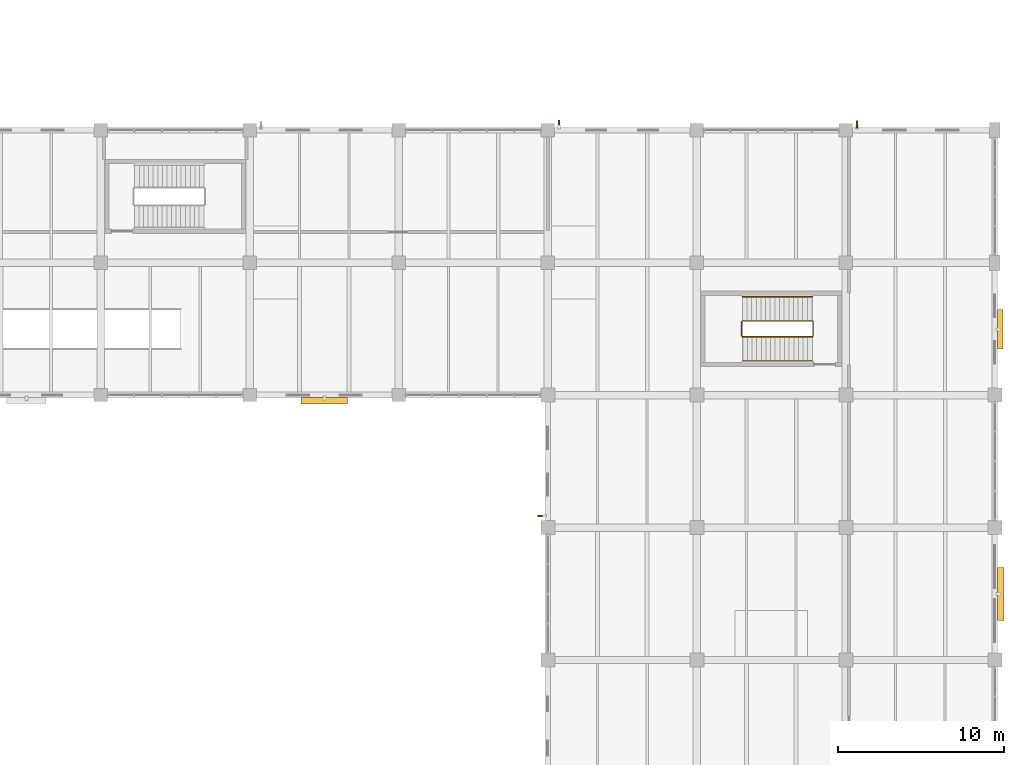
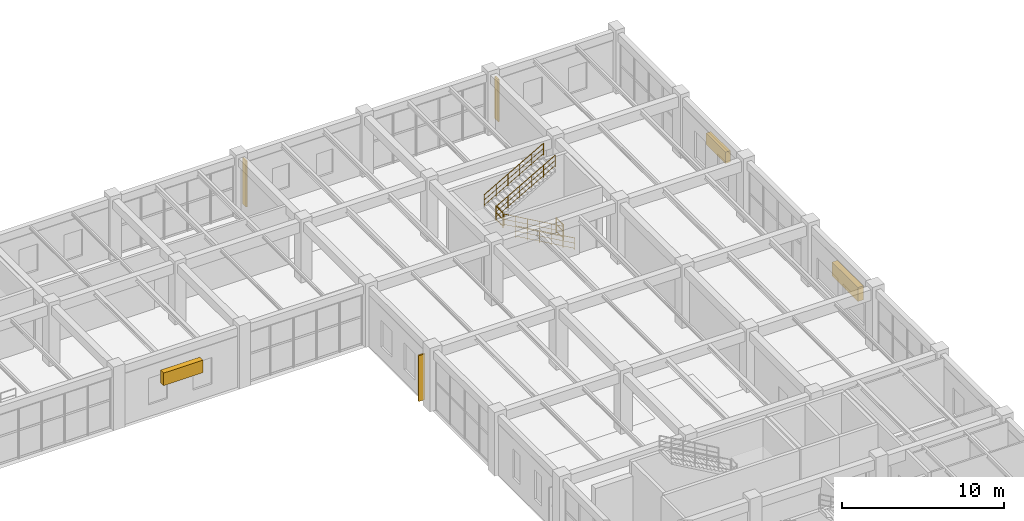
# One storey, part 177 of 178: 6 railings, 6 shading devices.
"""IFC4 building model written with IfcOpenShell, lengths in metres."""

import ifcopenshell
import ifcopenshell.guid

model = None  # the IFC model being written
_history = None  # IfcOwnerHistory: only IFC2X3 demands one
_inside = {}  # id of a spatial element -> (the spatial element, [elements in it])
_under = {}  # id of a project, library or spatial element -> (it, [spatial elements below it])
_declared = {}  # id of a project -> (the project, [libraries it declares])
_typed = {}  # id of a type object -> (the type object, [elements of that type])
_made_of = {}  # id of a material, layer set ... -> (it, [elements and type objects made of it])


def new_model(schema):
    """Start an empty IFC model of exactly this schema.

    Asked for "IFC4X3", IfcOpenShell would pick the latest addendum, in which some entities
    have other attributes; the version numbers below select the first issue.
    IFC2X3 requires an IfcOwnerHistory on every rooted entity: one is made here for all.
    """
    global model, _history
    if schema == "IFC4X3":
        model = ifcopenshell.file(schema_version=(4, 3, 0, 0))
    else:
        model = ifcopenshell.file(schema=schema)
    _inside.clear()
    _under.clear()
    _declared.clear()
    _typed.clear()
    _made_of.clear()
    _history = None
    if model.schema == "IFC2X3":
        org = make("IfcOrganization", Name="unknown")
        user = make(
            "IfcPersonAndOrganization",
            ThePerson=make("IfcPerson", FamilyName="unknown"),
            TheOrganization=org,
        )
        app = make(
            "IfcApplication",
            ApplicationDeveloper=org,
            Version="unknown",
            ApplicationFullName="unknown",
            ApplicationIdentifier="unknown",
        )
        _history = make(
            "IfcOwnerHistory",
            OwningUser=user,
            OwningApplication=app,
            ChangeAction="ADDED",
            CreationDate=0,
        )
    return model


def make(cls, **values):
    """One entity of the class cls with the attributes given. An attribute that is None is left unset."""
    return model.create_entity(
        cls, **{name: value for name, value in values.items() if value is not None}
    )


def rooted(cls, **values):
    """An entity with a GlobalId (a new one), such as an element, a storey or a relation."""
    return make(cls, GlobalId=ifcopenshell.guid.new(), OwnerHistory=_history, **values)


def si_unit(unit_type, name, prefix=None):
    """IfcSIUnit, for example si_unit("LENGTHUNIT", "METRE", prefix="MILLI")."""
    return make("IfcSIUnit", UnitType=unit_type, Prefix=prefix, Name=name)


def derived_unit(unit_type, elements):
    """IfcDerivedUnit: a product of units, each with its exponent."""
    return make(
        "IfcDerivedUnit",
        Elements=[
            make("IfcDerivedUnitElement", Unit=unit, Exponent=power)
            for unit, power in elements
        ],
        UnitType=unit_type,
    )


def assignment(units):
    """IfcUnitAssignment: the units of a project."""
    return None if units is None else make("IfcUnitAssignment", Units=units)


def point(xyz):
    """IfcCartesianPoint."""
    return None if xyz is None else make("IfcCartesianPoint", Coordinates=xyz)


def direction(xyz):
    """IfcDirection."""
    return None if xyz is None else make("IfcDirection", DirectionRatios=xyz)


def frame(location, z_axis=None, x_axis=None):
    """IfcAxis2Placement3D, a coordinate frame: its origin and axes. An axis left out is left unset."""
    return make(
        "IfcAxis2Placement3D",
        Location=point(location),
        Axis=direction(z_axis),
        RefDirection=direction(x_axis),
    )


def frame_2d(location, x_axis=None):
    """IfcAxis2Placement2D, a coordinate frame in the plane: its origin and x axis."""
    return make(
        "IfcAxis2Placement2D", Location=point(location), RefDirection=direction(x_axis)
    )


def origin():
    """The frame at (0, 0, 0) with its axes left unset."""
    return frame((0.0, 0.0, 0.0))


def origin_2d():
    """The frame at (0, 0) in the plane with its x axis left unset."""
    return frame_2d((0.0, 0.0))


def place(relative_to, where):
    """IfcLocalPlacement: puts the frame where relative to a parent placement (None: the world)."""
    return make(
        "IfcLocalPlacement", PlacementRelTo=relative_to, RelativePlacement=where
    )


def context(
    kind, dimensions, precision=None, world=None, true_north=None, identifier=None
):
    """IfcGeometricRepresentationContext, for example the 3D "Model" context."""
    return make(
        "IfcGeometricRepresentationContext",
        ContextIdentifier=identifier,
        ContextType=kind,
        CoordinateSpaceDimension=dimensions,
        Precision=precision,
        WorldCoordinateSystem=world,
        TrueNorth=true_north,
    )


def subcontext(parent, identifier, kind, view, scale=None):
    """IfcGeometricRepresentationSubContext, for example "Body" below "Model"."""
    return make(
        "IfcGeometricRepresentationSubContext",
        ContextIdentifier=identifier,
        ContextType=kind,
        ParentContext=parent,
        TargetScale=scale,
        TargetView=view,
    )


def project(units=None, contexts=None):
    """IfcProject with its units and contexts."""
    return rooted(
        "IfcProject",
        Name="project",
        RepresentationContexts=contexts,
        UnitsInContext=assignment(units),
    )


def spatial(cls, under=None, at=None, **own):
    """A site, building, storey or space (cls), placed at a placement, below another one or the project."""
    s = rooted(cls, ObjectPlacement=at, **own)
    if under is not None:
        _under.setdefault(under.id(), (under, []))[1].append(s)
    return s


def profile(cls, at=None, kind="AREA", **sizes):
    """A parametric profile (cls). Its sizes go by their IFC names, for example OverallWidth=200.0."""
    return make(cls, ProfileType=kind, Position=at, **sizes)


def rectangle(**sizes):
    """IfcRectangleProfileDef."""
    return profile("IfcRectangleProfileDef", **sizes)


def circle(**sizes):
    """IfcCircleProfileDef."""
    return profile("IfcCircleProfileDef", **sizes)


def extrude(swept, where, along, depth):
    """IfcExtrudedAreaSolid: the profile swept, set in the frame where, extruded along a direction by depth."""
    return make(
        "IfcExtrudedAreaSolid",
        SweptArea=swept,
        Position=where,
        ExtrudedDirection=direction(along),
        Depth=depth,
    )


def shape(context_of_items, identifier, shape_type, items):
    """IfcShapeRepresentation: the items that make up one representation, for example the "Body"."""
    return make(
        "IfcShapeRepresentation",
        ContextOfItems=context_of_items,
        RepresentationIdentifier=identifier,
        RepresentationType=shape_type,
        Items=items,
    )


def material(Name=None, Category=None):
    """IfcMaterial."""
    return make("IfcMaterial", Name=Name, Category=Category)


def made_of(thing, what):
    """Note that an element or type object is made of a material, layer set ...; save() writes the relation."""
    if what is not None:
        _made_of.setdefault(what.id(), (what, []))[1].append(thing)
    return thing


def type_object(cls, material=None, **own):
    """A type object (cls), such as IfcWallType, which elements share."""
    return made_of(rooted(cls, **own), material)


def element(
    cls,
    number,
    at=None,
    inside=None,
    cuts=None,
    type_object=None,
    material=None,
    context=None,
    identifier="Body",
    shape_type=None,
    held_by="IfcProductDefinitionShape",
    body=None,
    shapes=None,
    **own,
):
    """One element of the class cls, such as IfcWall. Its Tag is "e" and its number.

    at: its placement. inside: the storey or other place that contains it. cuts: it is an
    opening in that element (IfcRelVoidsElement). A single representation is given by context,
    identifier, shape_type and body (its items); several are given by shapes. held_by: the class
    of the entity that holds the representations. save() writes the other relations.
    """
    e = rooted(cls, Tag="e%d" % number, ObjectPlacement=at, **own)
    if body is not None:
        shapes = [shape(context, identifier, shape_type, body)]
    if shapes is not None:
        e.Representation = make(held_by, Representations=shapes)
    if inside is not None:
        _inside.setdefault(inside.id(), (inside, []))[1].append(e)
    if cuts is not None:
        rooted(
            "IfcRelVoidsElement", RelatingBuildingElement=cuts, RelatedOpeningElement=e
        )
    if type_object is not None:
        _typed.setdefault(type_object.id(), (type_object, []))[1].append(e)
    return made_of(e, material)


def aggregate(whole, parts):
    """IfcRelAggregates: a whole, such as a stair, and the parts it consists of."""
    return rooted("IfcRelAggregates", RelatingObject=whole, RelatedObjects=parts)


def save(model, path):
    """Write the relations noted so far, then the file.

    IfcRelAggregates (storeys below a building ...), IfcRelContainedInSpatialStructure (elements
    in a storey), IfcRelDefinesByType, IfcRelAssociatesMaterial and IfcRelDeclares: one each for
    every whole, place, type object, material and project.
    """
    for whole, parts in _under.values():
        aggregate(whole, parts)
    for where, things in _inside.values():
        rooted(
            "IfcRelContainedInSpatialStructure",
            RelatedElements=things,
            RelatingStructure=where,
        )
    for kind, things in _typed.values():
        rooted("IfcRelDefinesByType", RelatedObjects=things, RelatingType=kind)
    for what, things in _made_of.values():
        rooted("IfcRelAssociatesMaterial", RelatedObjects=things, RelatingMaterial=what)
    for by, libraries in _declared.values():
        rooted("IfcRelDeclares", RelatingContext=by, RelatedDefinitions=libraries)
    model.write(path)


model = new_model("IFC4")

# Units and contexts
model_context = context("Model", 3, precision=1e-05, world=origin(), true_north=direction((0.0, 1.0)))
body_context = subcontext(model_context, "Body", "Model", "MODEL_VIEW")
ifc_project = project(units=[si_unit("LENGTHUNIT", "METRE"), si_unit("AREAUNIT", "SQUARE_METRE"), si_unit("VOLUMEUNIT", "CUBIC_METRE"), si_unit("PLANEANGLEUNIT", "RADIAN"), si_unit("MASSUNIT", "GRAM", prefix="KILO"), derived_unit("THERMALTRANSMITTANCEUNIT", [(si_unit("MASSUNIT", "GRAM", prefix="KILO"), 1), (si_unit("TIMEUNIT", "SECOND"), -3), (si_unit("THERMODYNAMICTEMPERATUREUNIT", "KELVIN"), -1)])], contexts=[model_context])

# Site, building, storey
site_placement = place(None, origin())
site = spatial("IfcSite", under=ifc_project, at=site_placement, CompositionType="ELEMENT")
building_placement = place(site_placement, origin())
building = spatial("IfcBuilding", under=site, at=building_placement, Name="Zhenchuan Archway Interchange", CompositionType="ELEMENT")
storey_placement = place(building_placement, frame((0.0, 0.0, 5.39990234375)))
storey = spatial("IfcBuildingStorey", under=building, at=storey_placement, Name="L01", CompositionType="ELEMENT", Elevation=5.39990234375)

# Railings
ifc_material_1 = material(Name="Painted Galvanised Steel", Category="steel")
railing_type_1 = type_object("IfcRailingType", Name="RL_GUARD_1150", PredefinedType="GUARDRAIL", material=ifc_material_1)
for number, where, name in (
    (1, (155.715087890625, 91.56494140625, 2.400146484375), "Stair ST-O3 half-landing slot guard (L01)"),
    (2, (160.014892578125, 91.56494140625, 0.0), "Stair ST-O3 floor well guard (L01)"),
):
    element("IfcRailing", number, at=place(storey_placement, frame(where)), inside=storey, type_object=railing_type_1, Name=name, PredefinedType="GUARDRAIL", context=body_context, shape_type="SweptSolid", body=[
        extrude(circle(Radius=0.02392578125, at=origin_2d()), frame((0.0, 0.0, 1.1259765625), z_axis=(0.0, 1.0, 0.0), x_axis=(-1.0, 0.0, 0.0)), (0.0, 0.0, 1.0), 0.8701171875),
        extrude(circle(Radius=0.01611328125, at=origin_2d()), frame((0.0, 0.0, 0.63232421875), z_axis=(0.0, 1.0, 0.0), x_axis=(-1.0, 0.0, 0.0)), (0.0, 0.0, 1.0), 0.8701171875),
        extrude(circle(Radius=0.01611328125, at=origin_2d()), frame((0.0, 0.0, 0.1201171875), z_axis=(0.0, 1.0, 0.0), x_axis=(-1.0, 0.0, 0.0)), (0.0, 0.0, 1.0), 0.8701171875),
        extrude(circle(Radius=0.02099609375, at=origin_2d()), origin(), (0.0, 0.0, 1.0), 1.1259765625),
        extrude(circle(Radius=0.02099609375, at=origin_2d()), frame((0.0, 0.8701171875, 0.0)), (0.0, 0.0, 1.0), 1.1259765625),
    ])
ifc_material_2 = material(Name="Stainless Steel 304", Category="steel")
railing_type_2 = type_object("IfcRailingType", Name="RL_HAND_920", PredefinedType="HANDRAIL", material=ifc_material_2)
for number, where, name in (
    (3, (159.97509765625, 90.054931640625, 0.150146484375), "Stair ST-O3 handrail 1 (L01)"),
    (4, (159.97509765625, 91.52490234375, 0.150146484375), "Stair ST-O3 handrail 2 (L01)"),
):
    element("IfcRailing", number, at=place(storey_placement, frame(where)), inside=storey, type_object=railing_type_2, Name=name, PredefinedType="HANDRAIL", context=body_context, shape_type="SweptSolid", body=[
        extrude(circle(Radius=0.02392578125, at=origin_2d()), frame((0.0, 0.0, 0.89599609375), z_axis=(-0.86927486562, 0.0, 0.494329048308), x_axis=(0.0, -1.0, 0.0)), (0.0, 0.0, 1.0), 4.85498046875),
        extrude(circle(Radius=0.01611328125, at=origin_2d()), frame((0.0, 0.0, 0.505859375), z_axis=(-0.86927486562, 0.0, 0.494329048308), x_axis=(0.0, -1.0, 0.0)), (0.0, 0.0, 1.0), 4.85498046875),
        extrude(circle(Radius=0.01611328125, at=origin_2d()), frame((0.0, 0.0, 0.1201171875), z_axis=(-0.86927486562, 0.0, 0.494329048308), x_axis=(0.0, -1.0, 0.0)), (0.0, 0.0, 1.0), 4.85498046875),
        extrude(circle(Radius=0.02099609375, at=origin_2d()), origin(), (0.0, 0.0, 1.0), 0.89599609375),
        extrude(circle(Radius=0.02099609375, at=origin_2d()), frame((-0.843994140625, 0.0, 0.47998046875)), (0.0, 0.0, 1.0), 0.89599609375),
        extrude(circle(Radius=0.02099609375, at=origin_2d()), frame((-1.68798828125, 0.0, 0.9599609375)), (0.0, 0.0, 1.0), 0.89599609375),
        extrude(circle(Radius=0.02099609375, at=origin_2d()), frame((-2.5322265625, 0.0, 1.43994140625)), (0.0, 0.0, 1.0), 0.89599609375),
        extrude(circle(Radius=0.02099609375, at=origin_2d()), frame((-3.376220703125, 0.0, 1.919921875)), (0.0, 0.0, 1.0), 0.89599609375),
        extrude(circle(Radius=0.02099609375, at=origin_2d()), frame((-4.22021484375, 0.0, 2.39990234375)), (0.0, 0.0, 1.0), 0.89599609375),
    ])
for number, where, name in (
    (5, (155.7548828125, 92.47509765625, 2.550048828125), "Stair ST-O3 handrail 3 (L01)"),
    (6, (155.7548828125, 93.945068359375, 2.550048828125), "Stair ST-O3 handrail 4 (L01)"),
):
    element("IfcRailing", number, at=place(storey_placement, frame(where)), inside=storey, type_object=railing_type_2, Name=name, PredefinedType="HANDRAIL", context=body_context, shape_type="SweptSolid", body=[
        extrude(circle(Radius=0.02392578125, at=origin_2d()), frame((0.0, 0.0, 0.89599609375), z_axis=(0.869253256267, 0.0, 0.494367046301), x_axis=(0.0, 1.0, 0.0)), (0.0, 0.0, 1.0), 4.85498046875),
        extrude(circle(Radius=0.01611328125, at=origin_2d()), frame((0.0, 0.0, 0.505859375), z_axis=(0.869253256267, 0.0, 0.494367046301), x_axis=(0.0, 1.0, 0.0)), (0.0, 0.0, 1.0), 4.85498046875),
        extrude(circle(Radius=0.01611328125, at=origin_2d()), frame((0.0, 0.0, 0.1201171875), z_axis=(0.869253256267, 0.0, 0.494367046301), x_axis=(0.0, 1.0, 0.0)), (0.0, 0.0, 1.0), 4.85498046875),
        extrude(circle(Radius=0.02099609375, at=origin_2d()), origin(), (0.0, 0.0, 1.0), 0.89599609375),
        extrude(circle(Radius=0.02099609375, at=origin_2d()), frame((0.843994140625, 0.0, 0.47998046875)), (0.0, 0.0, 1.0), 0.89599609375),
        extrude(circle(Radius=0.02099609375, at=origin_2d()), frame((1.68798828125, 0.0, 0.9599609375)), (0.0, 0.0, 1.0), 0.89599609375),
        extrude(circle(Radius=0.02099609375, at=origin_2d()), frame((2.5322265625, 0.0, 1.440185546875)), (0.0, 0.0, 1.0), 0.89599609375),
        extrude(circle(Radius=0.02099609375, at=origin_2d()), frame((3.376220703125, 0.0, 1.920166015625)), (0.0, 0.0, 1.0), 0.89599609375),
        extrude(circle(Radius=0.02099609375, at=origin_2d()), frame((4.22021484375, 0.0, 2.400146484375)), (0.0, 0.0, 1.0), 0.89599609375),
    ])

# Shading devices
ifc_material_3 = material(Name="Terracotta Ceramic", Category="masonry")
shading_device_type_1 = type_object("IfcShadingDeviceType", Name="SHD_FIN_1", PredefinedType="USERDEFINED", material=ifc_material_3)
shading_device_1_placement = place(storey_placement, frame((162.677978515625, 104.364013671875, 0.330078125), z_axis=(0.0, 0.0, 1.0), x_axis=(1.0, 0.0, 0.0)))
element("IfcShadingDevice", 7, at=shading_device_1_placement, inside=storey, type_object=shading_device_type_1, Name="Terracotta vertical solar fin L01-039", ObjectType="FINS", PredefinedType="USERDEFINED", context=body_context, shape_type="SweptSolid", body=[
    extrude(rectangle(XDim=0.090087890625, YDim=0.419921875, at=origin_2d()), origin(), (0.0, 0.0, 1.0), 3.199951171875),
])
shading_device_type_2 = type_object("IfcShadingDeviceType", Name="SHD_FIN_3", PredefinedType="USERDEFINED", material=ifc_material_3)
for number, where, z_axis, x_axis, name in (
    (8, (144.677978515625, 104.384033203125, 0.2001953125), (0.0, 0.0, 1.0), (1.0, 0.0, 0.0), "Terracotta vertical solar fin L01-038"),
    (9, (143.615966796875, 80.702880859375, 0.2001953125), (0.0, 0.0, 1.0), (0.0, 1.0, 0.0), "Terracotta vertical solar fin L01-059"),
):
    element("IfcShadingDevice", number, at=place(storey_placement, frame(where, z_axis=z_axis, x_axis=x_axis)), inside=storey, type_object=shading_device_type_2, Name=name, ObjectType="FINS", PredefinedType="USERDEFINED", context=body_context, shape_type="SweptSolid", body=[
        extrude(rectangle(XDim=0.10009765625, YDim=0.4599609375, at=origin_2d()), origin(), (0.0, 0.0, 1.0), 3.4599609375),
    ])
ifc_material_4 = material(Name="Anodised Aluminium", Category="aluminium")
shading_device_type_3 = type_object("IfcShadingDeviceType", Name="SHD_LOUVRE_1", PredefinedType="JALOUSIE", material=ifc_material_4)
shading_device_2_placement = place(storey_placement, frame((130.5, 87.656005859375, 2.27490234375), z_axis=(0.0, 0.0, 1.0), x_axis=(-1.0, 0.0, 0.0)))
element("IfcShadingDevice", 10, at=shading_device_2_placement, inside=storey, type_object=shading_device_type_3, Name="Monsoon storm-louvre jalousie L01-060", PredefinedType="JALOUSIE", context=body_context, shape_type="SweptSolid", body=[
    extrude(rectangle(XDim=2.800048828125, YDim=0.3798828125, at=origin_2d()), origin(), (0.0, 0.0, 1.0), 0.949951171875),
])
shading_device_type_4 = type_object("IfcShadingDeviceType", Name="SHD_LOUVRE_2", PredefinedType="JALOUSIE", material=ifc_material_4)
shading_device_3_placement = place(storey_placement, frame((171.323974609375, 91.97509765625, 2.324951171875), z_axis=(0.0, 0.0, 1.0), x_axis=(0.0, -1.0, 0.0)))
element("IfcShadingDevice", 11, at=shading_device_3_placement, inside=storey, type_object=shading_device_type_4, Name="Monsoon storm-louvre jalousie L01-040", PredefinedType="JALOUSIE", context=body_context, shape_type="SweptSolid", body=[
    extrude(rectangle(XDim=2.39990234375, YDim=0.340087890625, at=origin_2d()), origin(), (0.0, 0.0, 1.0), 0.85009765625),
])
shading_device_type_5 = type_object("IfcShadingDeviceType", Name="SHD_LOUVRE_3", PredefinedType="JALOUSIE", material=ifc_material_4)
shading_device_4_placement = place(storey_placement, frame((171.35400390625, 76.0, 1.8251953125), z_axis=(0.0, 0.0, 1.0), x_axis=(0.0, -1.0, 0.0)))
element("IfcShadingDevice", 12, at=shading_device_4_placement, inside=storey, type_object=shading_device_type_5, Name="Monsoon storm-louvre jalousie L01-041", PredefinedType="JALOUSIE", context=body_context, shape_type="SweptSolid", body=[
    extrude(rectangle(XDim=3.199951171875, YDim=0.39990234375, at=origin_2d()), origin(), (0.0, 0.0, 1.0), 1.050048828125),
])

save(model, "model.ifc")
